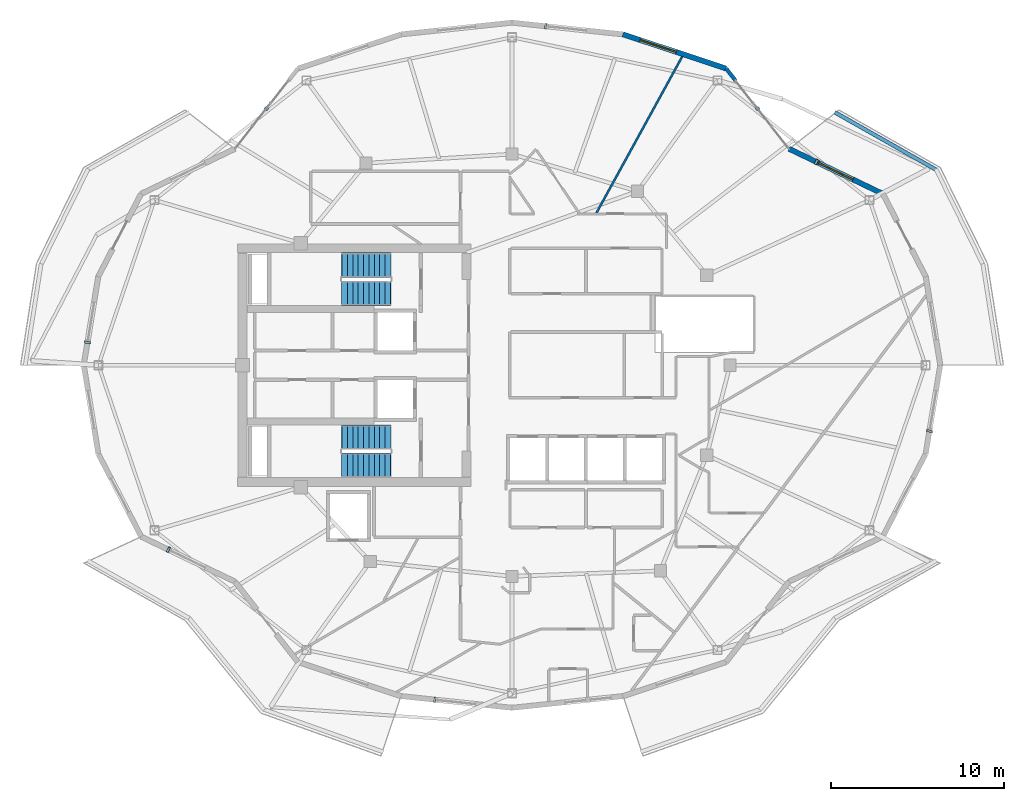
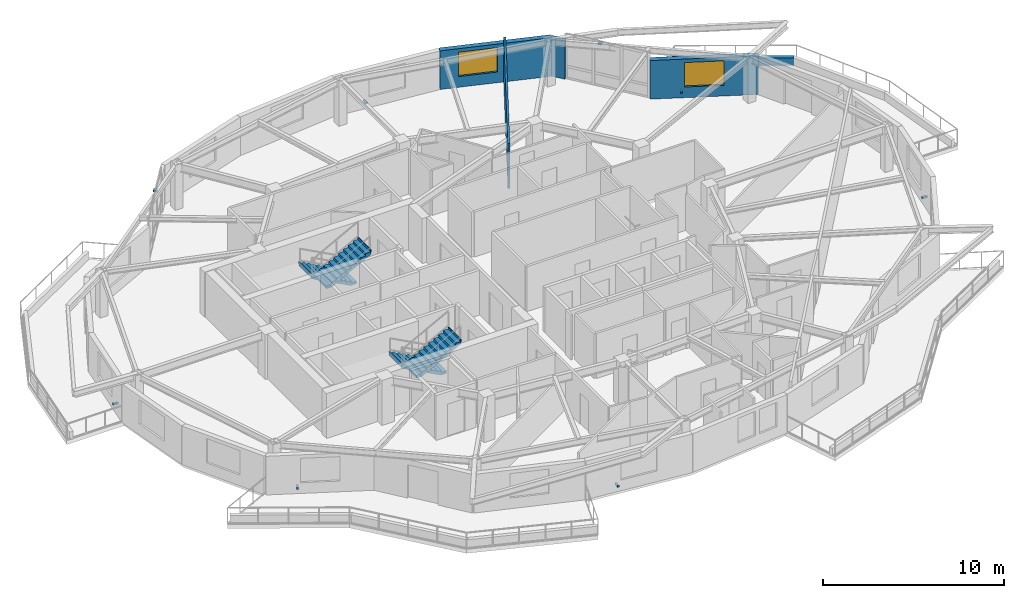
# One storey, part 9 of 12: 8 discrete accessories, 5 walls, 4 stair flights, 2 windows, 2 openings, 2 elements without a shape of their own.
"""IFC4 building model written with IfcOpenShell, lengths in metres."""

from ifc_helpers import new_model, si_unit, direction, frame, frame_2d, origin, origin_2d, place, context, subcontext, project, spatial, polyline, rectangle, outline, extrude, material, layer, layer_set, type_object, element, fill, aggregate, save


model = new_model("IFC4")

# Units and contexts
model_context = context("Model", 3, precision=1e-05, world=origin(), true_north=direction((0.0, 1.0)))
body_context = subcontext(model_context, "Body", "Model", "MODEL_VIEW")
ifc_project = project(units=[si_unit("LENGTHUNIT", "METRE"), si_unit("AREAUNIT", "SQUARE_METRE"), si_unit("VOLUMEUNIT", "CUBIC_METRE"), si_unit("PLANEANGLEUNIT", "RADIAN"), si_unit("MASSUNIT", "GRAM", prefix="KILO")], contexts=[model_context])

# Site, building, storey
site_placement = place(None, origin())
site = spatial("IfcSite", under=ifc_project, at=site_placement, CompositionType="ELEMENT")
building_placement = place(site_placement, origin())
building = spatial("IfcBuilding", under=site, at=building_placement, Name="Kolvaren Gate Tower and Convention Centre", CompositionType="ELEMENT")
storey_placement = place(building_placement, frame((0.0, 0.0, 199.699951171875)))
storey = spatial("IfcBuildingStorey", under=building, at=storey_placement, Name="L52", CompositionType="ELEMENT", Elevation=199.699951171875)

# Walls
ifc_material_1 = material(Name="Fire-Rated Acoustic Gypsum Stud Partition", Category="gypsum")
ifc_layer_1 = layer(ifc_material_1, 0.1201171875)
ifc_layer_set_1 = layer_set([ifc_layer_1], Name="Fire-Rated Acoustic Gypsum Stud Partition")
wall_type_1 = type_object("IfcWallType", Name="ARCH-WL-PART-120", PredefinedType="PARTITIONING", material=ifc_layer_set_1)
wall_1_placement = place(storey_placement, frame((35.010986328125, 35.81201171875, 0.0), z_axis=(0.0, 0.0, 1.0), x_axis=(0.480956227987, 0.876744607489, 0.0)))
element("IfcWall", 1, at=wall_1_placement, inside=storey, type_object=wall_type_1, Name="Interior Partition WL-L52-INT-076", PredefinedType="PARTITIONING", context=body_context, shape_type="SweptSolid", body=[
    extrude(rectangle(XDim=10.285400390625, YDim=0.1201171875, at=frame_2d((5.142578125, 0.0))), origin(), (0.0, 0.0, 1.0), 3.030029296875),
])
ifc_material_2 = material(Name="Bogota Sabana Bush-Hammered Sandstone Cladding", Category="masonry")
ifc_layer_2 = layer(ifc_material_2, 0.219970703125)
ifc_layer_set_2 = layer_set([ifc_layer_2], Name="Bogota Sabana Bush-Hammered Sandstone Cladding")
wall_type_2 = type_object("IfcWallType", Name="ARCH-WL-PIER-220", PredefinedType="SOLIDWALL", material=ifc_layer_set_2)
wall_2_placement = place(storey_placement, frame((42.5, 44.147216796875, 0.0), z_axis=(0.0, 0.0, 1.0), x_axis=(0.61650363284, -0.787352062736, 0.0)))
element("IfcWall", 2, at=wall_2_placement, inside=storey, type_object=wall_type_2, Name="Tower L52 Unitised Curtain Wall CW-RES-UNIT Bay 03 Left Column Pier Wrap", PredefinedType="SOLIDWALL", context=body_context, shape_type="SweptSolid", body=[
    extrude(rectangle(XDim=0.8759765625, YDim=0.219970703125, at=frame_2d((0.43798828125, 0.0))), origin(), (0.0, 0.0, 1.0), 2.60498046875),
])
ifc_material_3 = material(Name="Piedmont Cream Honed Limestone Cladding", Category="masonry")
ifc_layer_3 = layer(ifc_material_3, 0.219970703125)
ifc_layer_set_3 = layer_set([ifc_layer_3], Name="Piedmont Cream Honed Limestone Cladding")
wall_type_3 = type_object("IfcWallType", Name="ARCH-WL-PLANTER-220", PredefinedType="PARAPET", material=ifc_layer_set_3)
wall_3_placement = place(storey_placement, frame((48.7763671875, 41.61669921875, 0.0), z_axis=(0.0, 0.0, 1.0), x_axis=(0.869860619267, -0.493297580623, 0.0)))
element("IfcWall", 3, at=wall_3_placement, inside=storey, type_object=wall_type_3, Name="Vertical-Forest Balcony Stone Planter Kerb PK-L52-1.3", PredefinedType="PARAPET", context=body_context, shape_type="SweptSolid", body=[
    extrude(rectangle(XDim=6.74267578125, YDim=0.219970703125, at=frame_2d((3.371337890625, 0.0))), origin(), (0.0, 0.0, 1.0), 0.52001953125),
])

# Wall, opening, window
ifc_layer_4 = layer(ifc_material_3, 0.300048828125)
ifc_layer_set_4 = layer_set([ifc_layer_4], Name="Piedmont Cream Honed Limestone Cladding")
wall_type_4 = type_object("IfcWallType", Name="ARCH-WL-STONE-300", PredefinedType="SOLIDWALL", material=ifc_layer_set_4)
wall_4_placement = place(storey_placement, frame((46.132568359375, 39.50732421875, 0.0), z_axis=(0.0, 0.0, 1.0), x_axis=(0.901348331142, -0.433094892545, 0.0)))
wall_4 = element("IfcWall", 4, at=wall_4_placement, inside=storey, type_object=wall_type_4, Name="Tower L52 Honed Stone Spandrel Wall EW-02", PredefinedType="SOLIDWALL", context=body_context, shape_type="SweptSolid", body=[
    extrude(rectangle(XDim=6.0205078125, YDim=0.300048828125, at=frame_2d((3.01025390625, 0.0))), origin(), (0.0, 0.0, 1.0), 2.60498046875),
])
opening_1_placement = place(wall_4_placement, frame((1.909912109375, 0.0, 0.719970703125)))
opening_1 = element("IfcOpeningElement", 5, at=opening_1_placement, cuts=wall_4, Name="Opening W-03", PredefinedType="OPENING", context=body_context, shape_type="SweptSolid", body=[
    extrude(rectangle(XDim=2.199951171875, YDim=1.64990234375, at=frame_2d((1.10009765625, 0.824951171875))), frame((0.0, 0.159912109375, 0.0), z_axis=(0.0, -1.0, 0.0), x_axis=(1.0, 0.0, 0.0)), (0.0, 0.0, 1.0), 0.320068359375),
])
ifc_material_4 = material(Name="Low-E Triple Insulated Glazing Unit 44 mm", Category="glass")
window_type = type_object("IfcWindowType", Name="ARCH-WN-RES-2200", PartitioningType="SINGLE_PANEL", PredefinedType="WINDOW", material=ifc_material_4)
window_1_placement = place(opening_1_placement, origin())
window_1 = element("IfcWindow", 6, at=window_1_placement, inside=storey, type_object=window_type, Name="Tower L52 Punched Stone Facade Window W-02", OverallHeight=1.64990234375, OverallWidth=2.199951171875, PartitioningType="SINGLE_PANEL", PredefinedType="WINDOW", context=body_context, shape_type="SweptSolid", body=[
    extrude(rectangle(XDim=2.199951171875, YDim=1.64990234375, at=frame_2d((1.10009765625, 0.824951171875))), frame((0.0, 0.030029296875, 0.0), z_axis=(0.0, -1.0, 0.0), x_axis=(1.0, 0.0, 0.0)), (0.0, 0.0, 1.0), 0.06005859375),
])
fill(opening_1, window_1)

wall_5_placement = place(storey_placement, frame((36.53076171875, 46.125244140625, 0.0), z_axis=(0.0, 0.0, 1.0), x_axis=(0.949240877604, -0.314550085495, 0.0)))
wall_5 = element("IfcWall", 7, at=wall_5_placement, inside=storey, type_object=wall_type_4, Name="Tower L52 Honed Stone Spandrel Wall EW-04", PredefinedType="SOLIDWALL", context=body_context, shape_type="SweptSolid", body=[
    extrude(rectangle(XDim=6.288330078125, YDim=0.300048828125, at=frame_2d((3.14404296875, 0.0))), origin(), (0.0, 0.0, 1.0), 2.60498046875),
])
opening_2_placement = place(wall_5_placement, frame((1.050048828125, 0.0, 0.719970703125)))
opening_2 = element("IfcOpeningElement", 8, at=opening_2_placement, cuts=wall_5, Name="Opening W-03", PredefinedType="OPENING", context=body_context, shape_type="SweptSolid", body=[
    extrude(rectangle(XDim=2.199951171875, YDim=1.64990234375, at=frame_2d((1.10009765625, 0.824951171875))), frame((0.0, 0.159912109375, 0.0), z_axis=(0.0, -1.0, 0.0), x_axis=(1.0, 0.0, 0.0)), (0.0, 0.0, 1.0), 0.320068359375),
])
window_2_placement = place(opening_2_placement, origin())
window_2 = element("IfcWindow", 9, at=window_2_placement, inside=storey, type_object=window_type, Name="Tower L52 Punched Stone Facade Window W-04", OverallHeight=1.64990234375, OverallWidth=2.199951171875, PartitioningType="SINGLE_PANEL", PredefinedType="WINDOW", context=body_context, shape_type="SweptSolid", body=[
    extrude(rectangle(XDim=2.199951171875, YDim=1.64990234375, at=frame_2d((1.10009765625, 0.824951171875))), frame((0.0, 0.030029296875, 0.0), z_axis=(0.0, -1.0, 0.0), x_axis=(1.0, 0.0, 0.0)), (0.0, 0.0, 1.0), 0.06005859375),
])
fill(opening_2, window_2)

# Stair, stair flights
ifc_material_5 = material(Name="Concrete C50/60", Category="concrete")
stair_type = type_object("IfcStairType", Name="STR-STAIR-CORE", PredefinedType="HALF_TURN_STAIR", material=ifc_material_5)
stair_1_placement = place(storey_placement, origin())
stair_1 = element("IfcStair", 10, at=stair_1_placement, inside=storey, type_object=stair_type, Name="L52 Tower North Exit Stair ST-T1", PredefinedType="HALF_TURN_STAIR")
stair_flight_type = type_object("IfcStairFlightType", Name="STR-SFL-1420", PredefinedType="STRAIGHT", material=ifc_material_5)
stair_flight_1_placement = place(storey_placement, frame((23.10009765625, 32.7900390625, 0.0), z_axis=(0.0, 0.0, 1.0), x_axis=(-1.0, 0.0, 0.0)))
stair_flight_1 = element("IfcStairFlight", 11, at=stair_flight_1_placement, type_object=stair_flight_type, Name="ST-T1 flight 1", NumberOfRisers=10, NumberOfTreads=9, PredefinedType="STRAIGHT", RiserHeight=0.165, TreadLength=0.31, context=body_context, shape_type="SweptSolid", body=[
    extrude(outline(polyline([(-0.034912109375, 0.0), (-0.034912109375, 0.1650390625), (0.31005859375, 0.1650390625), (0.31005859375, 0.330078125), (0.6201171875, 0.330078125), (0.6201171875, 0.4951171875), (0.929931640625, 0.4951171875), (0.929931640625, 0.659912109375), (1.239990234375, 0.659912109375), (1.239990234375, 0.824951171875), (1.550048828125, 0.824951171875), (1.550048828125, 0.989990234375), (1.860107421875, 0.989990234375), (1.860107421875, 1.155029296875), (2.169921875, 1.155029296875), (2.169921875, 1.320068359375), (2.47998046875, 1.320068359375), (2.47998046875, 1.485107421875), (2.7900390625, 1.485107421875), (2.7900390625, 1.64990234375), (2.8349609375, 1.64990234375), (2.8349609375, 1.489990234375), (2.7900390625, 1.315185546875), (0.319091796875, 0.0), (-0.034912109375, 0.0)])), frame((0.0, 0.7099609375, 0.0), z_axis=(0.0, -1.0, 0.0), x_axis=(1.0, 0.0, 0.0)), (0.0, 0.0, 1.0), 1.419921875),
])
stair_flight_2_placement = place(storey_placement, frame((20.31005859375, 31.169921875, 1.650146484375), z_axis=(0.0, 0.0, 1.0), x_axis=(1.0, 0.0, 0.0)))
stair_flight_2 = element("IfcStairFlight", 12, at=stair_flight_2_placement, type_object=stair_flight_type, Name="ST-T1 flight 2", NumberOfRisers=10, NumberOfTreads=9, PredefinedType="STRAIGHT", RiserHeight=0.165, TreadLength=0.31, context=body_context, shape_type="SweptSolid", body=[
    extrude(outline(polyline([(-0.034912109375, 0.0), (-0.034912109375, 0.1650390625), (0.31005859375, 0.1650390625), (0.31005859375, 0.330078125), (0.6201171875, 0.330078125), (0.6201171875, 0.4951171875), (0.929931640625, 0.4951171875), (0.929931640625, 0.659912109375), (1.239990234375, 0.659912109375), (1.239990234375, 0.824951171875), (1.550048828125, 0.824951171875), (1.550048828125, 0.989990234375), (1.860107421875, 0.989990234375), (1.860107421875, 1.155029296875), (2.169921875, 1.155029296875), (2.169921875, 1.320068359375), (2.47998046875, 1.320068359375), (2.47998046875, 1.485107421875), (2.7900390625, 1.485107421875), (2.7900390625, 1.64990234375), (2.8349609375, 1.64990234375), (2.8349609375, 1.489990234375), (2.7900390625, 1.315185546875), (0.319091796875, 0.0), (-0.034912109375, 0.0)])), frame((0.0, 0.7099609375, 0.0), z_axis=(0.0, -1.0, 0.0), x_axis=(1.0, 0.0, 0.0)), (0.0, 0.0, 1.0), 1.419921875),
])
aggregate(stair_1, [stair_flight_1, stair_flight_2])

stair_2_placement = place(storey_placement, origin())
stair_2 = element("IfcStair", 13, at=stair_2_placement, inside=storey, type_object=stair_type, Name="L52 Tower South Exit Stair ST-T2", PredefinedType="HALF_TURN_STAIR")
stair_flight_3_placement = place(storey_placement, frame((23.10009765625, 22.830078125, 0.0), z_axis=(0.0, 0.0, 1.0), x_axis=(-1.0, 0.0, 0.0)))
stair_flight_3 = element("IfcStairFlight", 14, at=stair_flight_3_placement, type_object=stair_flight_type, Name="ST-T2 flight 1", NumberOfRisers=10, NumberOfTreads=9, PredefinedType="STRAIGHT", RiserHeight=0.165, TreadLength=0.31, context=body_context, shape_type="SweptSolid", body=[
    extrude(outline(polyline([(-0.034912109375, 0.0), (-0.034912109375, 0.1650390625), (0.31005859375, 0.1650390625), (0.31005859375, 0.330078125), (0.6201171875, 0.330078125), (0.6201171875, 0.4951171875), (0.929931640625, 0.4951171875), (0.929931640625, 0.659912109375), (1.239990234375, 0.659912109375), (1.239990234375, 0.824951171875), (1.550048828125, 0.824951171875), (1.550048828125, 0.989990234375), (1.860107421875, 0.989990234375), (1.860107421875, 1.155029296875), (2.169921875, 1.155029296875), (2.169921875, 1.320068359375), (2.47998046875, 1.320068359375), (2.47998046875, 1.485107421875), (2.7900390625, 1.485107421875), (2.7900390625, 1.64990234375), (2.8349609375, 1.64990234375), (2.8349609375, 1.489990234375), (2.7900390625, 1.315185546875), (0.319091796875, 0.0), (-0.034912109375, 0.0)])), frame((0.0, 0.7099609375, 0.0), z_axis=(0.0, -1.0, 0.0), x_axis=(1.0, 0.0, 0.0)), (0.0, 0.0, 1.0), 1.419921875),
])
stair_flight_4_placement = place(storey_placement, frame((20.31005859375, 21.2099609375, 1.650146484375), z_axis=(0.0, 0.0, 1.0), x_axis=(1.0, 0.0, 0.0)))
stair_flight_4 = element("IfcStairFlight", 15, at=stair_flight_4_placement, type_object=stair_flight_type, Name="ST-T2 flight 2", NumberOfRisers=10, NumberOfTreads=9, PredefinedType="STRAIGHT", RiserHeight=0.165, TreadLength=0.31, context=body_context, shape_type="SweptSolid", body=[
    extrude(outline(polyline([(-0.034912109375, 0.0), (-0.034912109375, 0.1650390625), (0.31005859375, 0.1650390625), (0.31005859375, 0.330078125), (0.6201171875, 0.330078125), (0.6201171875, 0.4951171875), (0.929931640625, 0.4951171875), (0.929931640625, 0.659912109375), (1.239990234375, 0.659912109375), (1.239990234375, 0.824951171875), (1.550048828125, 0.824951171875), (1.550048828125, 0.989990234375), (1.860107421875, 0.989990234375), (1.860107421875, 1.155029296875), (2.169921875, 1.155029296875), (2.169921875, 1.320068359375), (2.47998046875, 1.320068359375), (2.47998046875, 1.485107421875), (2.7900390625, 1.485107421875), (2.7900390625, 1.64990234375), (2.8349609375, 1.64990234375), (2.8349609375, 1.489990234375), (2.7900390625, 1.315185546875), (0.319091796875, 0.0), (-0.034912109375, 0.0)])), frame((0.0, 0.7099609375, 0.0), z_axis=(0.0, -1.0, 0.0), x_axis=(1.0, 0.0, 0.0)), (0.0, 0.0, 1.0), 1.419921875),
])
aggregate(stair_2, [stair_flight_3, stair_flight_4])

# Discrete accessories
ifc_material_6 = material(Name="Anodized Architectural Aluminium Alloy 6063-T6", Category="aluminium")
discrete_accessory_type = type_object("IfcDiscreteAccessoryType", Name="ARCH-ACC-BRACKET-120", PredefinedType="BRACKET", material=ifc_material_6)
discrete_accessory_1_placement = place(storey_placement, frame((47.7099609375, 38.74951171875, 0.2900390625), z_axis=(0.0, 0.0, 1.0), x_axis=(0.90135914581, -0.433072384555, 0.0)))
element("IfcDiscreteAccessory", 16, at=discrete_accessory_1_placement, inside=storey, type_object=discrete_accessory_type, Name="Ceramic Fin Wall Anchor Bracket FBK-L52-02", PredefinedType="BRACKET", context=body_context, shape_type="SweptSolid", body=[
    extrude(rectangle(XDim=0.1201171875, YDim=0.320068359375, at=origin_2d()), origin(), (0.0, 0.0, 1.0), 0.1201171875),
])
discrete_accessory_2_placement = place(storey_placement, frame((44.316162109375, 41.827392578125, 2.85009765625), z_axis=(0.0, 0.0, 1.0), x_axis=(0.616434119112, -0.787406487651, 0.0)))
element("IfcDiscreteAccessory", 17, at=discrete_accessory_2_placement, inside=storey, type_object=discrete_accessory_type, Name="Solar Screen Spandrel Anchor Bracket BK-L52-03", PredefinedType="BRACKET", context=body_context, shape_type="SweptSolid", body=[
    extrude(rectangle(XDim=0.179931640625, YDim=0.219970703125, at=origin_2d()), origin(), (0.0, 0.0, 1.0), 0.1201171875),
])
discrete_accessory_3_placement = place(storey_placement, frame((32.0751953125, 46.594482421875, 0.2900390625), z_axis=(0.0, 0.0, 1.0), x_axis=(0.994498884311, -0.104747167526, 0.0)))
element("IfcDiscreteAccessory", 18, at=discrete_accessory_3_placement, inside=storey, type_object=discrete_accessory_type, Name="Ceramic Fin Wall Anchor Bracket FBK-L52-05", PredefinedType="BRACKET", context=body_context, shape_type="SweptSolid", body=[
    extrude(rectangle(XDim=0.1201171875, YDim=0.320068359375, at=origin_2d()), origin(), (0.0, 0.0, 1.0), 0.1201171875),
])
discrete_accessory_4_placement = place(storey_placement, frame((15.93359375, 41.827392578125, 2.85009765625), z_axis=(0.0, 0.0, 1.0), x_axis=(0.616434119112, 0.787406487651, 0.0)))
element("IfcDiscreteAccessory", 19, at=discrete_accessory_4_placement, inside=storey, type_object=discrete_accessory_type, Name="Solar Screen Spandrel Anchor Bracket BK-L52-08", PredefinedType="BRACKET", context=body_context, shape_type="SweptSolid", body=[
    extrude(rectangle(XDim=0.179931640625, YDim=0.219970703125, at=origin_2d()), origin(), (0.0, 0.0, 1.0), 0.1201171875),
])
for number, where, z_axis, x_axis, name in (
    (20, (5.592041015625, 28.3193359375, 0.2900390625), (0.0, 0.0, 1.0), (0.162375401515, 0.986729055508, 0.0), "Ceramic Fin Wall Anchor Bracket FBK-L52-11"),
    (21, (10.268310546875, 16.342041015625, 0.2900390625), (0.0, 0.0, 1.0), (0.90135914581, -0.433072384555, 0.0), "Ceramic Fin Wall Anchor Bracket FBK-L52-14"),
    (22, (25.66943359375, 7.669189453125, 0.2900390625), (0.0, 0.0, 1.0), (0.994498884311, -0.104747167526, 0.0), "Ceramic Fin Wall Anchor Bracket FBK-L52-17"),
    (23, (54.248779296875, 23.194580078125, 0.2900390625), (0.0, 0.0, 1.0), (0.162375401515, 0.986729055508, 0.0), "Ceramic Fin Wall Anchor Bracket FBK-L52-23"),
):
    element("IfcDiscreteAccessory", number, at=place(storey_placement, frame(where, z_axis=z_axis, x_axis=x_axis)), inside=storey, type_object=discrete_accessory_type, Name=name, PredefinedType="BRACKET", context=body_context, shape_type="SweptSolid", body=[
        extrude(rectangle(XDim=0.1201171875, YDim=0.320068359375, at=origin_2d()), origin(), (0.0, 0.0, 1.0), 0.1201171875),
    ])

save(model, "model.ifc")
